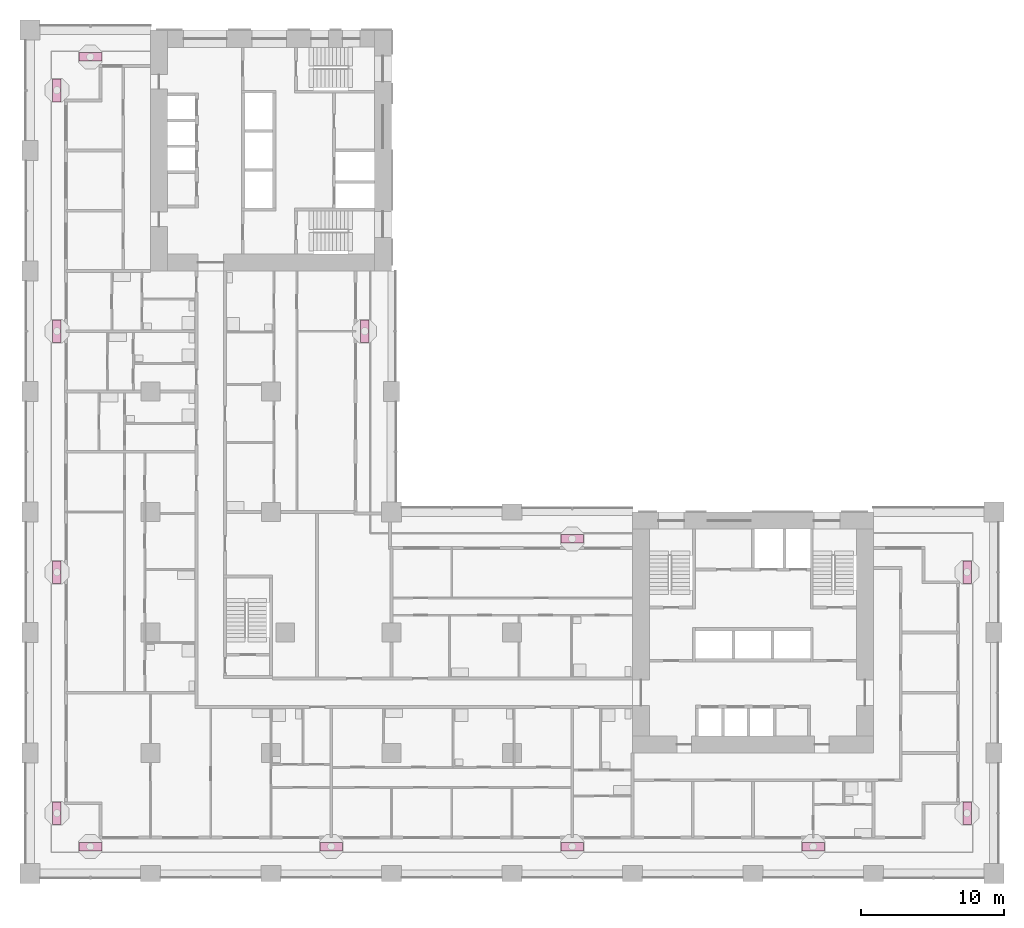
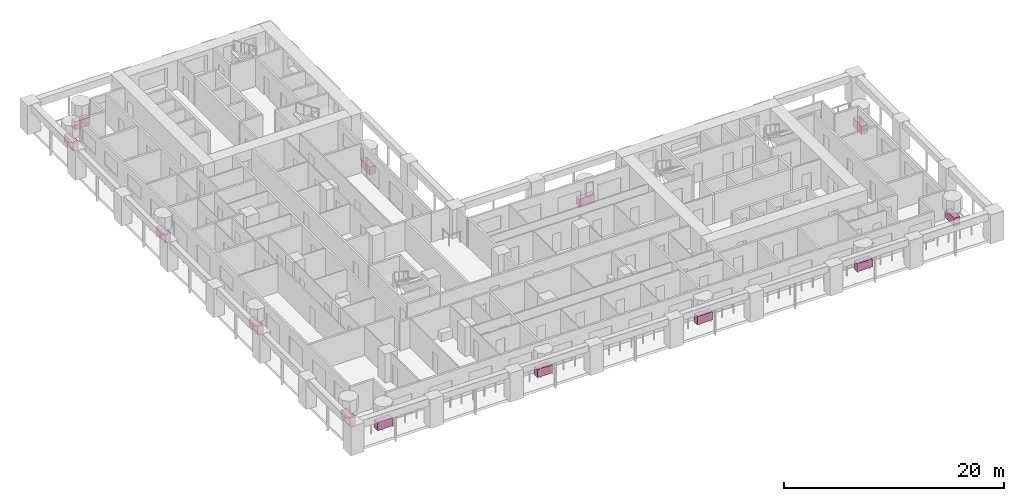
# One storey, part 18 of 19: 13 furniture elements.
"""IFC4 building model written with IfcOpenShell, lengths in metres."""

from ifc_helpers import new_model, si_unit, direction, frame, origin, origin_2d, place, context, subcontext, project, spatial, rectangle, extrude, material, element, save


model = new_model("IFC4")

# Units and contexts
model_context = context("Model", 3, precision=1e-05, world=origin(), true_north=direction((0.0, 1.0)))
body_context = subcontext(model_context, "Body", "Model", "MODEL_VIEW")
ifc_project = project(units=[si_unit("LENGTHUNIT", "METRE"), si_unit("AREAUNIT", "SQUARE_METRE"), si_unit("VOLUMEUNIT", "CUBIC_METRE"), si_unit("PLANEANGLEUNIT", "RADIAN"), si_unit("MASSUNIT", "GRAM", prefix="KILO")], contexts=[model_context])

# Site, building, storey
site_placement = place(None, origin())
site = spatial("IfcSite", under=ifc_project, at=site_placement, CompositionType="ELEMENT")
building_placement = place(site_placement, origin())
building = spatial("IfcBuilding", under=site, at=building_placement, Name="Vermilion Gate Residences", CompositionType="ELEMENT")
storey_placement = place(building_placement, frame((0.0, 0.0, 28.699951171875)))
storey = spatial("IfcBuildingStorey", under=building, at=storey_placement, Name="L05", CompositionType="ELEMENT", Elevation=28.699951171875)

# Furniture
ifc_material = material(Name="Terracotta planter", Category="masonry")
for number, where, z_axis, x_axis, name in (
    (1, (4.199951171875, 1.875, 0.0), (0.0, 0.0, 1.0), (1.0, 0.0, 0.0), "PLANTER"),
    (2, (21.0, 1.875, 0.0), (0.0, 0.0, 1.0), (1.0, 0.0, 0.0), "PLANTER"),
    (3, (37.800048828125, 1.875, 0.0), (0.0, 0.0, 1.0), (1.0, 0.0, 0.0), "PLANTER"),
    (4, (54.60009765625, 1.875, 0.0), (0.0, 0.0, 1.0), (1.0, 0.0, 0.0), "PLANTER"),
    (5, (65.324951171875, 4.199951171875, 0.0), (0.0, 0.0, 1.0), (0.0, 1.0, 0.0), "PLANTER"),
    (6, (65.324951171875, 21.0, 0.0), (0.0, 0.0, 1.0), (0.0, 1.0, 0.0), "PLANTER"),
    (7, (37.800048828125, 23.324951171875, 0.0), (0.0, 0.0, 1.0), (-1.0, 0.0, 0.0), "PLANTER"),
    (8, (23.324951171875, 37.800048828125, 0.0), (0.0, 0.0, 1.0), (0.0, 1.0, 0.0), "PLANTER"),
    (9, (4.199951171875, 56.925048828125, 0.0), (0.0, 0.0, 1.0), (-1.0, 0.0, 0.0), "PLANTER"),
    (10, (1.875, 4.199951171875, 0.0), (0.0, 0.0, 1.0), (0.0, -1.0, 0.0), "PLANTER"),
    (11, (1.875, 21.0, 0.0), (0.0, 0.0, 1.0), (0.0, -1.0, 0.0), "PLANTER"),
    (12, (1.875, 37.800048828125, 0.0), (0.0, 0.0, 1.0), (0.0, -1.0, 0.0), "PLANTER"),
    (13, (1.875, 54.60009765625, 0.0), (0.0, 0.0, 1.0), (0.0, -1.0, 0.0), "PLANTER"),
):
    element("IfcFurniture", number, at=place(storey_placement, frame(where, z_axis=z_axis, x_axis=x_axis)), inside=storey, material=ifc_material, Name=name, ObjectType="PLANTER", PredefinedType="USERDEFINED", context=body_context, shape_type="SweptSolid", body=[
        extrude(rectangle(XDim=1.60009765625, YDim=0.60009765625, at=origin_2d()), origin(), (0.0, 0.0, 1.0), 0.89990234375),
    ])

save(model, "model.ifc")
